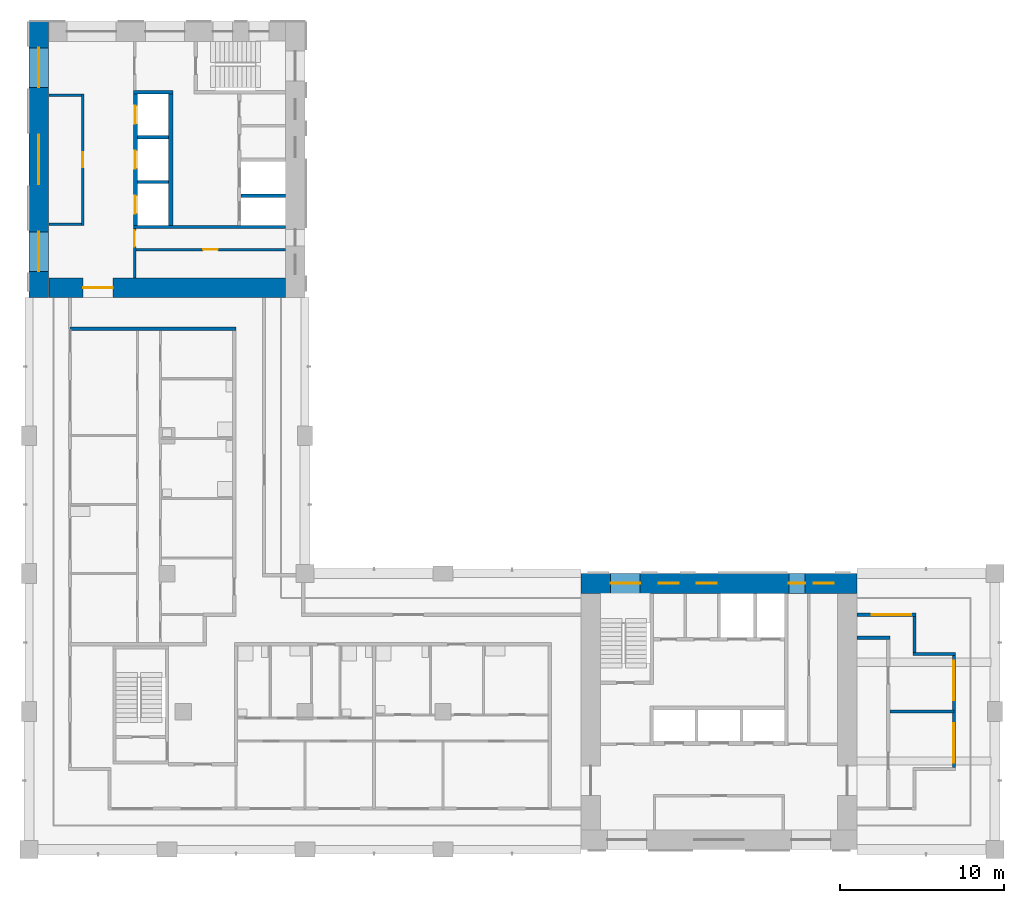
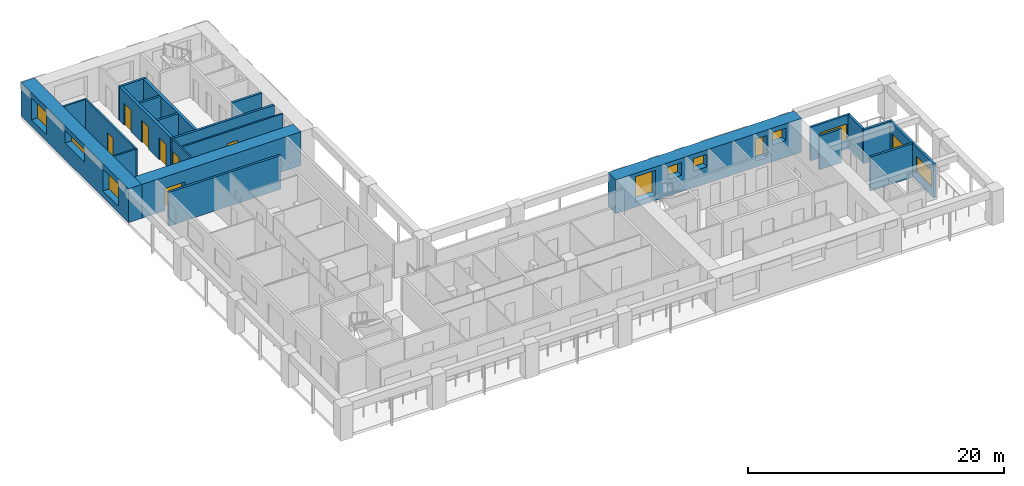
# One storey, part 5 of 10: 22 walls, 10 windows, 8 doors, 18 openings.
"""IFC4 building model written with IfcOpenShell, lengths in metres."""

from ifc_helpers import new_model, si_unit, direction, frame, frame_2d, origin, place, context, subcontext, project, spatial, rectangle, extrude, material, layer, layer_set, type_object, element, fill, save


model = new_model("IFC4")

# Units and contexts
model_context = context("Model", 3, precision=1e-05, world=origin(), true_north=direction((0.0, 1.0)))
body_context = subcontext(model_context, "Body", "Model", "MODEL_VIEW")
ifc_project = project(units=[si_unit("LENGTHUNIT", "METRE"), si_unit("AREAUNIT", "SQUARE_METRE"), si_unit("VOLUMEUNIT", "CUBIC_METRE"), si_unit("PLANEANGLEUNIT", "RADIAN"), si_unit("MASSUNIT", "GRAM", prefix="KILO")], contexts=[model_context])

# Site, building, storey
site_placement = place(None, origin())
site = spatial("IfcSite", under=ifc_project, at=site_placement, CompositionType="ELEMENT")
building_placement = place(site_placement, origin())
building = spatial("IfcBuilding", under=site, at=building_placement, Name="Vermilion Gate Residences", CompositionType="ELEMENT")
storey_placement = place(building_placement, frame((0.0, 0.0, 175.699951171875)))
storey = spatial("IfcBuildingStorey", under=building, at=storey_placement, Name="L45", CompositionType="ELEMENT", Elevation=175.699951171875)

# Walls
ifc_material_1 = material(Name="Masonry blockwork", Category="masonry")
ifc_layer_1 = layer(ifc_material_1, 0.14990234375)
ifc_layer_set_1 = layer_set([ifc_layer_1], Name="BLOCKWORK PARTITION 150 EI 120")
wall_type_1 = type_object("IfcWallType", Name="BLOCKWORK PARTITION 150 EI 120", PredefinedType="PARTITIONING", material=ifc_layer_set_1)
for number, where, z_axis, x_axis, name in (
    (1, (9.60009765625, 54.324951171875, 0.0), (0.0, 0.0, 1.0), (1.0, 0.0, 0.0), "Core room partition B45-RW-W"),
    (2, (9.60009765625, 46.47509765625, 0.0), (0.0, 0.0, 1.0), (1.0, 0.0, 0.0), "Core room partition B45-RW-E"),
):
    element("IfcWall", number, at=place(storey_placement, frame(where, z_axis=z_axis, x_axis=x_axis)), inside=storey, type_object=wall_type_1, Name=name, PredefinedType="PARTITIONING", context=body_context, shape_type="SweptSolid", body=[
        extrude(rectangle(XDim=2.0, YDim=0.14990234375, at=frame_2d((1.0, 0.0))), origin(), (0.0, 0.0, 1.0), 3.219970703125),
    ])

# Wall, opening, door
wall_1_placement = place(storey_placement, frame((11.675048828125, 54.39990234375, 0.0), z_axis=(0.0, 0.0, 1.0), x_axis=(0.0, -1.0, 0.0)))
wall_1 = element("IfcWall", 3, at=wall_1_placement, inside=storey, type_object=wall_type_1, Name="Core room partition B45-LR-F", PredefinedType="PARTITIONING", context=body_context, shape_type="SweptSolid", body=[
    extrude(rectangle(XDim=8.0, YDim=0.14990234375, at=frame_2d((4.0, 0.0))), origin(), (0.0, 0.0, 1.0), 3.219970703125),
])
opening_1_placement = place(wall_1_placement, frame((3.550048828125, 0.0, 0.0)))
opening_1 = element("IfcOpeningElement", 4, at=opening_1_placement, cuts=wall_1, Name="Opening DK45102", PredefinedType="OPENING", context=body_context, shape_type="SweptSolid", body=[
    extrude(rectangle(XDim=0.89990234375, YDim=2.10009765625, at=frame_2d((0.449951171875, 1.050048828125))), frame((0.0, 0.0849609375, 0.0), z_axis=(0.0, -1.0, 0.0), x_axis=(1.0, 0.0, 0.0)), (0.0, 0.0, 1.0), 0.169921875),
])
ifc_material_2 = material(Name="Steel", Category="steel")
door_type_1 = type_object("IfcDoorType", Name="SERVICE ROOM DOOR FD60 900 X 2100", OperationType="SINGLE_SWING_LEFT", PredefinedType="DOOR", material=ifc_material_2)
door_1_placement = place(opening_1_placement, frame((0.89990234375, 0.0, 0.0), z_axis=(0.0, 0.0, 1.0), x_axis=(-1.0, 0.0, 0.0)))
door_1 = element("IfcDoor", 5, at=door_1_placement, inside=storey, type_object=door_type_1, Name="Housekeeping store B45", OperationType="SINGLE_SWING_RIGHT", OverallHeight=2.10009765625, OverallWidth=0.89990234375, PredefinedType="DOOR", context=body_context, shape_type="SweptSolid", body=[
    extrude(rectangle(XDim=0.89990234375, YDim=2.10009765625, at=frame_2d((0.449951171875, 1.050048828125))), frame((0.0, 0.02490234375, 0.0), z_axis=(0.0, -1.0, 0.0), x_axis=(1.0, 0.0, 0.0)), (0.0, 0.0, 1.0), 0.050048828125),
])
fill(opening_1, door_1)

wall_2_placement = place(storey_placement, frame((14.824951171875, 46.199951171875, 0.0), z_axis=(0.0, 0.0, 1.0), x_axis=(0.0, -1.0, 0.0)))
wall_2 = element("IfcWall", 6, at=wall_2_placement, inside=storey, type_object=wall_type_1, Name="Core room partition B45-ES-S", PredefinedType="PARTITIONING", context=body_context, shape_type="SweptSolid", body=[
    extrude(rectangle(XDim=3.0, YDim=0.14990234375, at=frame_2d((1.5, 0.0))), origin(), (0.0, 0.0, 1.0), 3.219970703125),
])
opening_2_placement = place(wall_2_placement, frame((0.10009765625, 0.0, 0.0)))
opening_2 = element("IfcOpeningElement", 7, at=opening_2_placement, cuts=wall_2, Name="Opening DK45112", PredefinedType="OPENING", context=body_context, shape_type="SweptSolid", body=[
    extrude(rectangle(XDim=1.0, YDim=2.10009765625, at=frame_2d((0.5, 1.050048828125))), frame((0.0, 0.0849609375, 0.0), z_axis=(0.0, -1.0, 0.0), x_axis=(1.0, 0.0, 0.0)), (0.0, 0.0, 1.0), 0.169921875),
])
ifc_material_3 = material(Name="Steel", Category="steel")
door_type_2 = type_object("IfcDoorType", Name="FIRE DOOR FD60 1000 X 2100", OperationType="SINGLE_SWING_LEFT", PredefinedType="DOOR", material=ifc_material_3)
door_2_placement = place(opening_2_placement, frame((1.0, 0.0, 0.0), z_axis=(0.0, 0.0, 1.0), x_axis=(-1.0, 0.0, 0.0)))
door_2 = element("IfcDoor", 8, at=door_2_placement, inside=storey, type_object=door_type_2, Name="Service corridor door B45", OperationType="SINGLE_SWING_LEFT", OverallHeight=2.10009765625, OverallWidth=1.0, PredefinedType="DOOR", context=body_context, shape_type="SweptSolid", body=[
    extrude(rectangle(XDim=1.0, YDim=2.10009765625, at=frame_2d((0.5, 1.050048828125))), frame((0.0, 0.02490234375, 0.0), z_axis=(0.0, -1.0, 0.0), x_axis=(1.0, 0.0, 0.0)), (0.0, 0.0, 1.0), 0.050048828125),
])
fill(opening_2, door_2)

wall_3_placement = place(storey_placement, frame((14.89990234375, 44.925048828125, 0.0), z_axis=(0.0, 0.0, 1.0), x_axis=(1.0, 0.0, 0.0)))
wall_3 = element("IfcWall", 9, at=wall_3_placement, inside=storey, type_object=wall_type_1, Name="Core room partition B45-ES-W", PredefinedType="PARTITIONING", context=body_context, shape_type="SweptSolid", body=[
    extrude(rectangle(XDim=9.10009765625, YDim=0.14990234375, at=frame_2d((4.550048828125, 0.0))), origin(), (0.0, 0.0, 1.0), 3.219970703125),
])
opening_3_placement = place(wall_3_placement, frame((4.10009765625, 0.0, 0.0)))
opening_3 = element("IfcOpeningElement", 10, at=opening_3_placement, cuts=wall_3, Name="Opening DK45113", PredefinedType="OPENING", context=body_context, shape_type="SweptSolid", body=[
    extrude(rectangle(XDim=0.89990234375, YDim=2.10009765625, at=frame_2d((0.449951171875, 1.050048828125))), frame((0.0, 0.0849609375, 0.0), z_axis=(0.0, -1.0, 0.0), x_axis=(1.0, 0.0, 0.0)), (0.0, 0.0, 1.0), 0.169921875),
])
door_3_placement = place(opening_3_placement, frame((0.89990234375, 0.0, 0.0), z_axis=(0.0, 0.0, 1.0), x_axis=(-1.0, 0.0, 0.0)))
door_3 = element("IfcDoor", 11, at=door_3_placement, inside=storey, type_object=door_type_1, Name="Electrical room B45", OperationType="SINGLE_SWING_RIGHT", OverallHeight=2.10009765625, OverallWidth=0.89990234375, PredefinedType="DOOR", context=body_context, shape_type="SweptSolid", body=[
    extrude(rectangle(XDim=0.89990234375, YDim=2.10009765625, at=frame_2d((0.449951171875, 1.050048828125))), frame((0.0, 0.02490234375, 0.0), z_axis=(0.0, -1.0, 0.0), x_axis=(1.0, 0.0, 0.0)), (0.0, 0.0, 1.0), 0.050048828125),
])
fill(opening_3, door_3)

# Wall, openings, door, window
ifc_material_4 = material(Name="Insulated steel stud wall with terracotta rainscreen", Category="masonry")
ifc_layer_2 = layer(ifc_material_4, 0.199951171875)
ifc_layer_set_2 = layer_set([ifc_layer_2], Name="EXTERNAL WALL 200 TERRACOTTA RAINSCREEN")
wall_type_2 = type_object("IfcWallType", Name="EXTERNAL WALL 200 TERRACOTTA RAINSCREEN", PredefinedType="SOLIDWALL", material=ifc_layer_set_2)
wall_4_placement = place(storey_placement, frame((64.699951171875, 13.39990234375, 0.0), z_axis=(0.0, 0.0, 1.0), x_axis=(0.0, 1.0, 0.0)))
wall_4 = element("IfcWall", 12, at=wall_4_placement, inside=storey, type_object=wall_type_2, Name="External wall", PredefinedType="SOLIDWALL", context=body_context, shape_type="SweptSolid", body=[
    extrude(rectangle(XDim=6.800048828125, YDim=0.199951171875, at=frame_2d((3.39990234375, 0.0))), origin(), (0.0, 0.0, 1.0), 3.219970703125),
])
opening_4_placement = place(wall_4_placement, frame((0.300048828125, 0.0, 0.89990234375)))
opening_4 = element("IfcOpeningElement", 13, at=opening_4_placement, cuts=wall_4, Name="Opening WE45016", PredefinedType="OPENING", context=body_context, shape_type="SweptSolid", body=[
    extrude(rectangle(XDim=2.39990234375, YDim=1.5, at=frame_2d((1.199951171875, 0.75))), frame((0.0, 0.10986328125, 0.0), z_axis=(0.0, -1.0, 0.0), x_axis=(1.0, 0.0, 0.0)), (0.0, 0.0, 1.0), 0.219970703125),
])
opening_5_placement = place(wall_4_placement, frame((4.10009765625, 0.0, 0.0)))
opening_5 = element("IfcOpeningElement", 14, at=opening_5_placement, cuts=wall_4, Name="Opening DE45019", PredefinedType="OPENING", context=body_context, shape_type="SweptSolid", body=[
    extrude(rectangle(XDim=2.39990234375, YDim=2.199951171875, at=frame_2d((1.199951171875, 1.10009765625))), frame((0.0, 0.10986328125, 0.0), z_axis=(0.0, -1.0, 0.0), x_axis=(1.0, 0.0, 0.0)), (0.0, 0.0, 1.0), 0.219970703125),
])
ifc_material_5 = material(Name="Aluminium and clear glass", Category="aluminium")
door_type_3 = type_object("IfcDoorType", Name="SLIDING GLAZED DOOR 2400 X 2200", OperationType="DOUBLE_DOOR_SLIDING", PredefinedType="DOOR", material=ifc_material_5)
door_4_placement = place(opening_5_placement, origin())
door_4 = element("IfcDoor", 15, at=door_4_placement, inside=storey, type_object=door_type_3, Name="Loggia sliding door", OperationType="DOUBLE_DOOR_SLIDING", OverallHeight=2.199951171875, OverallWidth=2.39990234375, PredefinedType="DOOR", context=body_context, shape_type="SweptSolid", body=[
    extrude(rectangle(XDim=2.39990234375, YDim=2.199951171875, at=frame_2d((1.199951171875, 1.10009765625))), frame((0.0, 0.02490234375, 0.0), z_axis=(0.0, -1.0, 0.0), x_axis=(1.0, 0.0, 0.0)), (0.0, 0.0, 1.0), 0.050048828125),
])
fill(opening_5, door_4)
ifc_material_6 = material(Name="Aluminium and clear glass", Category="aluminium")
window_type_1 = type_object("IfcWindowType", Name="WINDOW 2400 X 1500", PartitioningType="SINGLE_PANEL", PredefinedType="WINDOW", material=ifc_material_6)
window_1_placement = place(opening_4_placement, origin())
window_1 = element("IfcWindow", 16, at=window_1_placement, inside=storey, type_object=window_type_1, Name="Window", OverallHeight=1.5, OverallWidth=2.39990234375, PartitioningType="SINGLE_PANEL", PredefinedType="WINDOW", context=body_context, shape_type="SweptSolid", body=[
    extrude(rectangle(XDim=2.39990234375, YDim=1.5, at=frame_2d((1.199951171875, 0.75))), frame((0.0, 0.030029296875, 0.0), z_axis=(0.0, -1.0, 0.0), x_axis=(1.0, 0.0, 0.0)), (0.0, 0.0, 1.0), 0.06005859375),
])
fill(opening_4, window_1)

# Walls
wall_5_placement = place(storey_placement, frame((64.800048828125, 20.300048828125, 0.0), z_axis=(0.0, 0.0, 1.0), x_axis=(-1.0, 0.0, 0.0)))
element("IfcWall", 17, at=wall_5_placement, inside=storey, type_object=wall_type_2, Name="External wall", PredefinedType="SOLIDWALL", context=body_context, shape_type="SweptSolid", body=[
    extrude(rectangle(XDim=2.60009765625, YDim=0.199951171875, at=frame_2d((1.300048828125, 0.0))), origin(), (0.0, 0.0, 1.0), 3.219970703125),
])
wall_6_placement = place(storey_placement, frame((62.300048828125, 20.39990234375, 0.0), z_axis=(0.0, 0.0, 1.0), x_axis=(0.0, 1.0, 0.0)))
element("IfcWall", 18, at=wall_6_placement, inside=storey, type_object=wall_type_2, Name="External wall", PredefinedType="SOLIDWALL", context=body_context, shape_type="SweptSolid", body=[
    extrude(rectangle(XDim=2.2001953125, YDim=0.199951171875, at=frame_2d((1.10009765625, 0.0))), origin(), (0.0, 0.0, 1.0), 3.219970703125),
])

# Wall, opening, window
wall_7_placement = place(storey_placement, frame((62.39990234375, 22.699951171875, 0.0), z_axis=(0.0, 0.0, 1.0), x_axis=(-1.0, 0.0, 0.0)))
wall_7 = element("IfcWall", 19, at=wall_7_placement, inside=storey, type_object=wall_type_2, Name="External wall", PredefinedType="SOLIDWALL", context=body_context, shape_type="SweptSolid", body=[
    extrude(rectangle(XDim=3.599853515625, YDim=0.199951171875, at=frame_2d((1.7998046875, 0.0))), origin(), (0.0, 0.0, 1.0), 3.219970703125),
])
opening_6_placement = place(wall_7_placement, frame((0.300048828125, 0.0, 0.89990234375)))
opening_6 = element("IfcOpeningElement", 20, at=opening_6_placement, cuts=wall_7, Name="Opening WE45018", PredefinedType="OPENING", context=body_context, shape_type="SweptSolid", body=[
    extrude(rectangle(XDim=2.39990234375, YDim=1.5, at=frame_2d((1.199951171875, 0.75))), frame((0.0, 0.10986328125, 0.0), z_axis=(0.0, -1.0, 0.0), x_axis=(1.0, 0.0, 0.0)), (0.0, 0.0, 1.0), 0.219970703125),
])
window_2_placement = place(opening_6_placement, origin())
window_2 = element("IfcWindow", 21, at=window_2_placement, inside=storey, type_object=window_type_1, Name="Window", OverallHeight=1.5, OverallWidth=2.39990234375, PartitioningType="SINGLE_PANEL", PredefinedType="WINDOW", context=body_context, shape_type="SweptSolid", body=[
    extrude(rectangle(XDim=2.39990234375, YDim=1.5, at=frame_2d((1.199951171875, 0.75))), frame((0.0, 0.030029296875, 0.0), z_axis=(0.0, -1.0, 0.0), x_axis=(1.0, 0.0, 0.0)), (0.0, 0.0, 1.0), 0.06005859375),
])
fill(opening_6, window_2)

# Walls
ifc_material_7 = material(Name="Fire-rated plasterboard on steel studs", Category="steel")
ifc_layer_3 = layer(ifc_material_7, 0.199951171875)
ifc_layer_set_3 = layer_set([ifc_layer_3], Name="PARTY WALL 200 EI 120")
wall_type_3 = type_object("IfcWallType", Name="PARTY WALL 200 EI 120", PredefinedType="PARTITIONING", material=ifc_layer_set_3)
wall_8_placement = place(storey_placement, frame((60.800048828125, 16.800048828125, 0.0), z_axis=(0.0, 0.0, 1.0), x_axis=(1.0, 0.0, 0.0)))
element("IfcWall", 22, at=wall_8_placement, inside=storey, type_object=wall_type_3, Name="Party and corridor wall", PredefinedType="PARTITIONING", context=body_context, shape_type="SweptSolid", body=[
    extrude(rectangle(XDim=3.89990234375, YDim=0.199951171875, at=frame_2d((1.949951171875, 0.0))), origin(), (0.0, 0.0, 1.0), 3.219970703125),
])
wall_9_placement = place(storey_placement, frame((58.800048828125, 21.300048828125, 0.0), z_axis=(0.0, 0.0, 1.0), x_axis=(1.0, 0.0, 0.0)))
element("IfcWall", 23, at=wall_9_placement, inside=storey, type_object=wall_type_3, Name="Party and corridor wall", PredefinedType="PARTITIONING", context=body_context, shape_type="SweptSolid", body=[
    extrude(rectangle(XDim=2.0, YDim=0.199951171875, at=frame_2d((1.0, 0.0))), origin(), (0.0, 0.0, 1.0), 3.219970703125),
])
wall_10_placement = place(storey_placement, frame((10.89990234375, 40.10009765625, 0.0), z_axis=(0.0, 0.0, 1.0), x_axis=(1.0, 0.0, 0.0)))
element("IfcWall", 24, at=wall_10_placement, inside=storey, type_object=wall_type_3, Name="Party and corridor wall", PredefinedType="PARTITIONING", context=body_context, shape_type="SweptSolid", body=[
    extrude(rectangle(XDim=10.10009765625, YDim=0.199951171875, at=frame_2d((5.050048828125, 0.0))), origin(), (0.0, 0.0, 1.0), 3.219970703125),
])
ifc_material_8 = material(Name="Concrete C60", Category="concrete")
ifc_layer_4 = layer(ifc_material_8, 0.199951171875)
ifc_layer_set_4 = layer_set([ifc_layer_4], Name="RC CORE INTERNAL WALL 200 C60")
wall_type_4 = type_object("IfcWallType", Name="RC CORE INTERNAL WALL 200 C60", PredefinedType="SHEAR", material=ifc_layer_set_4)
for number, where, z_axis, x_axis, name in (
    (25, (15.0, 51.7666015625, 0.0), (0.0, 0.0, 1.0), (1.0, 0.0, 0.0), "Core internal wall B45-HR-D1"),
    (26, (15.0, 49.033447265625, 0.0), (0.0, 0.0, 1.0), (1.0, 0.0, 0.0), "Core internal wall B45-HR-D2"),
):
    element("IfcWall", number, at=place(storey_placement, frame(where, z_axis=z_axis, x_axis=x_axis)), inside=storey, type_object=wall_type_4, Name=name, PredefinedType="SHEAR", context=body_context, shape_type="SweptSolid", body=[
        extrude(rectangle(XDim=1.89990234375, YDim=0.199951171875, at=frame_2d((0.949951171875, 0.0))), origin(), (0.0, 0.0, 1.0), 3.219970703125),
    ])
wall_11_placement = place(storey_placement, frame((21.300048828125, 48.199951171875, 0.0), z_axis=(0.0, 0.0, 1.0), x_axis=(1.0, 0.0, 0.0)))
element("IfcWall", 27, at=wall_11_placement, inside=storey, type_object=wall_type_4, Name="Core internal wall B45-FF-D1", PredefinedType="SHEAR", context=body_context, shape_type="SweptSolid", body=[
    extrude(rectangle(XDim=2.699951171875, YDim=0.199951171875, at=frame_2d((1.35009765625, 0.0))), origin(), (0.0, 0.0, 1.0), 3.219970703125),
])
wall_12_placement = place(storey_placement, frame((14.75, 54.5, 0.0), z_axis=(0.0, 0.0, 1.0), x_axis=(1.0, 0.0, 0.0)))
element("IfcWall", 28, at=wall_12_placement, inside=storey, type_object=wall_type_4, Name="Core internal wall B45-WDIV1", PredefinedType="SHEAR", context=body_context, shape_type="SweptSolid", body=[
    extrude(rectangle(XDim=2.39990234375, YDim=0.199951171875, at=frame_2d((1.199951171875, 0.0))), origin(), (0.0, 0.0, 1.0), 3.219970703125),
])
wall_13_placement = place(storey_placement, frame((14.75, 46.300048828125, 0.0), z_axis=(0.0, 0.0, 1.0), x_axis=(1.0, 0.0, 0.0)))
element("IfcWall", 29, at=wall_13_placement, inside=storey, type_object=wall_type_4, Name="Core internal wall B45-EDIV", PredefinedType="SHEAR", context=body_context, shape_type="SweptSolid", body=[
    extrude(rectangle(XDim=9.25, YDim=0.199951171875, at=frame_2d((4.625, 0.0))), origin(), (0.0, 0.0, 1.0), 3.219970703125),
])

# Wall, opening, door
ifc_material_9 = material(Name="Concrete C60", Category="concrete")
ifc_layer_5 = layer(ifc_material_9, 1.199951171875)
ifc_layer_set_5 = layer_set([ifc_layer_5], Name="RC CORE WALL 1200 C60")
wall_type_5 = type_object("IfcWallType", Name="RC CORE WALL 1200 C60", PredefinedType="SHEAR", material=ifc_layer_set_5)
wall_14_placement = place(storey_placement, frame((9.60009765625, 42.60009765625, 0.0), z_axis=(0.0, 0.0, 1.0), x_axis=(1.0, 0.0, 0.0)))
wall_14 = element("IfcWall", 30, at=wall_14_placement, inside=storey, type_object=wall_type_5, Name="Core wall B45-OUT-BK", PredefinedType="SHEAR", context=body_context, shape_type="SweptSolid", body=[
    extrude(rectangle(XDim=14.39990234375, YDim=1.199951171875, at=frame_2d((7.199951171875, 0.0))), origin(), (0.0, 0.0, 1.0), 3.219970703125),
])
opening_7_placement = place(wall_14_placement, frame((2.10009765625, 0.0, 0.0)))
opening_7 = element("IfcOpeningElement", 31, at=opening_7_placement, cuts=wall_14, Name="Opening DK45101", PredefinedType="OPENING", context=body_context, shape_type="SweptSolid", body=[
    extrude(rectangle(XDim=1.800048828125, YDim=2.10009765625, at=frame_2d((0.89990234375, 1.050048828125))), frame((0.0, 0.60986328125, 0.0), z_axis=(0.0, -1.0, 0.0), x_axis=(1.0, 0.0, 0.0)), (0.0, 0.0, 1.0), 1.219970703125),
])
ifc_material_10 = material(Name="Steel", Category="steel")
door_type_4 = type_object("IfcDoorType", Name="CORE LOBBY DOOR FD60 1800 X 2100", OperationType="DOUBLE_DOOR_SINGLE_SWING", PredefinedType="DOOR", material=ifc_material_10)
door_5_placement = place(opening_7_placement, frame((1.800048828125, 0.0, 0.0), z_axis=(0.0, 0.0, 1.0), x_axis=(-1.0, 0.0, 0.0)))
door_5 = element("IfcDoor", 32, at=door_5_placement, inside=storey, type_object=door_type_4, Name="Core lobby door B45", OperationType="DOUBLE_DOOR_SINGLE_SWING", OverallHeight=2.10009765625, OverallWidth=1.800048828125, PredefinedType="DOOR", context=body_context, shape_type="SweptSolid", body=[
    extrude(rectangle(XDim=1.800048828125, YDim=2.10009765625, at=frame_2d((0.89990234375, 1.050048828125))), frame((0.0, 0.02490234375, 0.0), z_axis=(0.0, -1.0, 0.0), x_axis=(1.0, 0.0, 0.0)), (0.0, 0.0, 1.0), 0.050048828125),
])
fill(opening_7, door_5)

# Wall, openings, windows
ifc_material_11 = material(Name="Concrete C60 red-oxide pigmented", Category="concrete")
ifc_layer_6 = layer(ifc_material_11, 1.199951171875)
ifc_layer_set_6 = layer_set([ifc_layer_6], Name="RC CORE WALL 1200 C60 RED OXIDE")
wall_type_6 = type_object("IfcWallType", Name="RC CORE WALL 1200 C60 RED OXIDE", PredefinedType="SHEAR", material=ifc_layer_set_6)
wall_15_placement = place(storey_placement, frame((42.0, 24.60009765625, 0.0), z_axis=(0.0, 0.0, 1.0), x_axis=(1.0, 0.0, 0.0)))
wall_15 = element("IfcWall", 33, at=wall_15_placement, inside=storey, type_object=wall_type_6, Name="Core wall A45-OUT-B1", PredefinedType="SHEAR", context=body_context, shape_type="SweptSolid", body=[
    extrude(rectangle(XDim=16.800048828125, YDim=1.199951171875, at=frame_2d((8.39990234375, 0.0))), origin(), (0.0, 0.0, 1.0), 3.219970703125),
])
opening_8_placement = place(wall_15_placement, frame((1.800048828125, 0.0, 0.5)))
opening_8 = element("IfcOpeningElement", 34, at=opening_8_placement, cuts=wall_15, Name="Opening WKA4504", PredefinedType="OPENING", context=body_context, shape_type="SweptSolid", body=[
    extrude(rectangle(XDim=1.800048828125, YDim=2.39990234375, at=frame_2d((0.89990234375, 1.199951171875))), frame((0.0, 0.60986328125, 0.0), z_axis=(0.0, -1.0, 0.0), x_axis=(1.0, 0.0, 0.0)), (0.0, 0.0, 1.0), 1.219970703125),
])
opening_9_placement = place(wall_15_placement, frame((4.737548828125, 0.0, 1.60009765625)))
opening_9 = element("IfcOpeningElement", 35, at=opening_9_placement, cuts=wall_15, Name="Opening WKA4505", PredefinedType="OPENING", context=body_context, shape_type="SweptSolid", body=[
    extrude(rectangle(XDim=1.199951171875, YDim=1.199951171875, at=frame_2d((0.60009765625, 0.60009765625))), frame((0.0, 0.60986328125, 0.0), z_axis=(0.0, -1.0, 0.0), x_axis=(1.0, 0.0, 0.0)), (0.0, 0.0, 1.0), 1.219970703125),
])
opening_10_placement = place(wall_15_placement, frame((7.050048828125, 0.0, 1.60009765625)))
opening_10 = element("IfcOpeningElement", 36, at=opening_10_placement, cuts=wall_15, Name="Opening WKA4506", PredefinedType="OPENING", context=body_context, shape_type="SweptSolid", body=[
    extrude(rectangle(XDim=1.199951171875, YDim=1.199951171875, at=frame_2d((0.60009765625, 0.60009765625))), frame((0.0, 0.60986328125, 0.0), z_axis=(0.0, -1.0, 0.0), x_axis=(1.0, 0.0, 0.0)), (0.0, 0.0, 1.0), 1.219970703125),
])
opening_11_placement = place(wall_15_placement, frame((12.64990234375, 0.0, 0.60009765625)))
opening_11 = element("IfcOpeningElement", 37, at=opening_11_placement, cuts=wall_15, Name="Opening WKA4507", PredefinedType="OPENING", context=body_context, shape_type="SweptSolid", body=[
    extrude(rectangle(XDim=1.0, YDim=2.10009765625, at=frame_2d((0.5, 1.050048828125))), frame((0.0, 0.60986328125, 0.0), z_axis=(0.0, -1.0, 0.0), x_axis=(1.0, 0.0, 0.0)), (0.0, 0.0, 1.0), 1.219970703125),
])
opening_12_placement = place(wall_15_placement, frame((14.175048828125, 0.0, 1.60009765625)))
opening_12 = element("IfcOpeningElement", 38, at=opening_12_placement, cuts=wall_15, Name="Opening WKA4508", PredefinedType="OPENING", context=body_context, shape_type="SweptSolid", body=[
    extrude(rectangle(XDim=1.199951171875, YDim=1.199951171875, at=frame_2d((0.60009765625, 0.60009765625))), frame((0.0, 0.60986328125, 0.0), z_axis=(0.0, -1.0, 0.0), x_axis=(1.0, 0.0, 0.0)), (0.0, 0.0, 1.0), 1.219970703125),
])
ifc_material_12 = material(Name="Aluminium and clear glass", Category="aluminium")
window_type_2 = type_object("IfcWindowType", Name="CORE CORRIDOR WINDOW 1000 X 2100", PartitioningType="SINGLE_PANEL", PredefinedType="WINDOW", material=ifc_material_12)
window_3_placement = place(opening_11_placement, origin())
window_3 = element("IfcWindow", 39, at=window_3_placement, inside=storey, type_object=window_type_2, Name="Core corridor window", OverallHeight=2.10009765625, OverallWidth=1.0, PartitioningType="SINGLE_PANEL", PredefinedType="WINDOW", context=body_context, shape_type="SweptSolid", body=[
    extrude(rectangle(XDim=1.0, YDim=2.10009765625, at=frame_2d((0.5, 1.050048828125))), frame((0.0, 0.030029296875, 0.0), z_axis=(0.0, -1.0, 0.0), x_axis=(1.0, 0.0, 0.0)), (0.0, 0.0, 1.0), 0.06005859375),
])
fill(opening_11, window_3)
ifc_material_13 = material(Name="Aluminium frame with louvre blades", Category="aluminium")
window_type_3 = type_object("IfcWindowType", Name="CORE LOUVRE 1200 X 1200", PartitioningType="SINGLE_PANEL", PredefinedType="WINDOW", material=ifc_material_13)
window_4_placement = place(opening_9_placement, origin())
window_4 = element("IfcWindow", 40, at=window_4_placement, inside=storey, type_object=window_type_3, Name="Core louvre", OverallHeight=1.199951171875, OverallWidth=1.199951171875, PartitioningType="SINGLE_PANEL", PredefinedType="WINDOW", context=body_context, shape_type="SweptSolid", body=[
    extrude(rectangle(XDim=1.199951171875, YDim=1.199951171875, at=frame_2d((0.60009765625, 0.60009765625))), frame((0.0, 0.030029296875, 0.0), z_axis=(0.0, -1.0, 0.0), x_axis=(1.0, 0.0, 0.0)), (0.0, 0.0, 1.0), 0.06005859375),
])
fill(opening_9, window_4)
window_5_placement = place(opening_10_placement, origin())
window_5 = element("IfcWindow", 41, at=window_5_placement, inside=storey, type_object=window_type_3, Name="Core louvre", OverallHeight=1.199951171875, OverallWidth=1.199951171875, PartitioningType="SINGLE_PANEL", PredefinedType="WINDOW", context=body_context, shape_type="SweptSolid", body=[
    extrude(rectangle(XDim=1.199951171875, YDim=1.199951171875, at=frame_2d((0.60009765625, 0.60009765625))), frame((0.0, 0.030029296875, 0.0), z_axis=(0.0, -1.0, 0.0), x_axis=(1.0, 0.0, 0.0)), (0.0, 0.0, 1.0), 0.06005859375),
])
fill(opening_10, window_5)
window_6_placement = place(opening_12_placement, origin())
window_6 = element("IfcWindow", 42, at=window_6_placement, inside=storey, type_object=window_type_3, Name="Core louvre", OverallHeight=1.199951171875, OverallWidth=1.199951171875, PartitioningType="SINGLE_PANEL", PredefinedType="WINDOW", context=body_context, shape_type="SweptSolid", body=[
    extrude(rectangle(XDim=1.199951171875, YDim=1.199951171875, at=frame_2d((0.60009765625, 0.60009765625))), frame((0.0, 0.030029296875, 0.0), z_axis=(0.0, -1.0, 0.0), x_axis=(1.0, 0.0, 0.0)), (0.0, 0.0, 1.0), 0.06005859375),
])
fill(opening_12, window_6)
ifc_material_14 = material(Name="Aluminium and clear glass", Category="aluminium")
window_type_4 = type_object("IfcWindowType", Name="CORE STAIR WINDOW 1800 X 2400", PartitioningType="SINGLE_PANEL", PredefinedType="WINDOW", material=ifc_material_14)
window_7_placement = place(opening_8_placement, origin())
window_7 = element("IfcWindow", 43, at=window_7_placement, inside=storey, type_object=window_type_4, Name="Core stair window", OverallHeight=2.39990234375, OverallWidth=1.800048828125, PartitioningType="SINGLE_PANEL", PredefinedType="WINDOW", context=body_context, shape_type="SweptSolid", body=[
    extrude(rectangle(XDim=1.800048828125, YDim=2.39990234375, at=frame_2d((0.89990234375, 1.199951171875))), frame((0.0, 0.030029296875, 0.0), z_axis=(0.0, -1.0, 0.0), x_axis=(1.0, 0.0, 0.0)), (0.0, 0.0, 1.0), 0.06005859375),
])
fill(opening_8, window_7)

wall_16_placement = place(storey_placement, frame((9.0, 58.800048828125, 0.0), z_axis=(0.0, 0.0, 1.0), x_axis=(0.0, -1.0, 0.0)))
wall_16 = element("IfcWall", 44, at=wall_16_placement, inside=storey, type_object=wall_type_6, Name="Core wall B45-OUT-B0", PredefinedType="SHEAR", context=body_context, shape_type="SweptSolid", body=[
    extrude(rectangle(XDim=16.800048828125, YDim=1.199951171875, at=frame_2d((8.39990234375, 0.0))), origin(), (0.0, 0.0, 1.0), 3.219970703125),
])
opening_13_placement = place(wall_16_placement, frame((1.60009765625, 0.0, 0.60009765625)))
opening_13 = element("IfcOpeningElement", 45, at=opening_13_placement, cuts=wall_16, Name="Opening WKB4501", PredefinedType="OPENING", context=body_context, shape_type="SweptSolid", body=[
    extrude(rectangle(XDim=2.39990234375, YDim=2.10009765625, at=frame_2d((1.199951171875, 1.050048828125))), frame((0.0, 0.60986328125, 0.0), z_axis=(0.0, -1.0, 0.0), x_axis=(1.0, 0.0, 0.0)), (0.0, 0.0, 1.0), 1.219970703125),
])
opening_14_placement = place(wall_16_placement, frame((6.89990234375, 0.0, 1.60009765625)))
opening_14 = element("IfcOpeningElement", 46, at=opening_14_placement, cuts=wall_16, Name="Opening WKB4502", PredefinedType="OPENING", context=body_context, shape_type="SweptSolid", body=[
    extrude(rectangle(XDim=3.0, YDim=1.199951171875, at=frame_2d((1.5, 0.60009765625))), frame((0.0, 0.60986328125, 0.0), z_axis=(0.0, -1.0, 0.0), x_axis=(1.0, 0.0, 0.0)), (0.0, 0.0, 1.0), 1.219970703125),
])
opening_15_placement = place(wall_16_placement, frame((12.800048828125, 0.0, 0.60009765625)))
opening_15 = element("IfcOpeningElement", 47, at=opening_15_placement, cuts=wall_16, Name="Opening WKB4503", PredefinedType="OPENING", context=body_context, shape_type="SweptSolid", body=[
    extrude(rectangle(XDim=2.39990234375, YDim=2.10009765625, at=frame_2d((1.199951171875, 1.050048828125))), frame((0.0, 0.60986328125, 0.0), z_axis=(0.0, -1.0, 0.0), x_axis=(1.0, 0.0, 0.0)), (0.0, 0.0, 1.0), 1.219970703125),
])
ifc_material_15 = material(Name="Aluminium and clear glass", Category="aluminium")
window_type_5 = type_object("IfcWindowType", Name="CORE LOBBY WINDOW 2400 X 2100", PartitioningType="SINGLE_PANEL", PredefinedType="WINDOW", material=ifc_material_15)
window_8_placement = place(opening_13_placement, origin())
window_8 = element("IfcWindow", 48, at=window_8_placement, inside=storey, type_object=window_type_5, Name="Core lobby window", OverallHeight=2.10009765625, OverallWidth=2.39990234375, PartitioningType="SINGLE_PANEL", PredefinedType="WINDOW", context=body_context, shape_type="SweptSolid", body=[
    extrude(rectangle(XDim=2.39990234375, YDim=2.10009765625, at=frame_2d((1.199951171875, 1.050048828125))), frame((0.0, 0.030029296875, 0.0), z_axis=(0.0, -1.0, 0.0), x_axis=(1.0, 0.0, 0.0)), (0.0, 0.0, 1.0), 0.06005859375),
])
fill(opening_13, window_8)
window_9_placement = place(opening_15_placement, origin())
window_9 = element("IfcWindow", 49, at=window_9_placement, inside=storey, type_object=window_type_5, Name="Core lobby window", OverallHeight=2.10009765625, OverallWidth=2.39990234375, PartitioningType="SINGLE_PANEL", PredefinedType="WINDOW", context=body_context, shape_type="SweptSolid", body=[
    extrude(rectangle(XDim=2.39990234375, YDim=2.10009765625, at=frame_2d((1.199951171875, 1.050048828125))), frame((0.0, 0.030029296875, 0.0), z_axis=(0.0, -1.0, 0.0), x_axis=(1.0, 0.0, 0.0)), (0.0, 0.0, 1.0), 0.06005859375),
])
fill(opening_15, window_9)
ifc_material_16 = material(Name="Aluminium frame with louvre blades", Category="aluminium")
window_type_6 = type_object("IfcWindowType", Name="CORE LOUVRE 3000 X 1200", PartitioningType="SINGLE_PANEL", PredefinedType="WINDOW", material=ifc_material_16)
window_10_placement = place(opening_14_placement, origin())
window_10 = element("IfcWindow", 50, at=window_10_placement, inside=storey, type_object=window_type_6, Name="Core louvre", OverallHeight=1.199951171875, OverallWidth=3.0, PartitioningType="SINGLE_PANEL", PredefinedType="WINDOW", context=body_context, shape_type="SweptSolid", body=[
    extrude(rectangle(XDim=3.0, YDim=1.199951171875, at=frame_2d((1.5, 0.60009765625))), frame((0.0, 0.030029296875, 0.0), z_axis=(0.0, -1.0, 0.0), x_axis=(1.0, 0.0, 0.0)), (0.0, 0.0, 1.0), 0.06005859375),
])
fill(opening_14, window_10)

# Wall, openings, doors
ifc_material_17 = material(Name="Concrete C60", Category="concrete")
ifc_layer_7 = layer(ifc_material_17, 0.25)
ifc_layer_set_7 = layer_set([ifc_layer_7], Name="RC LIFT SHAFT WALL 250 C60")
wall_type_7 = type_object("IfcWallType", Name="RC LIFT SHAFT WALL 250 C60", PredefinedType="SHEAR", material=ifc_layer_set_7)
wall_17_placement = place(storey_placement, frame((14.875, 54.39990234375, 0.0), z_axis=(0.0, 0.0, 1.0), x_axis=(0.0, -1.0, 0.0)))
wall_17 = element("IfcWall", 51, at=wall_17_placement, inside=storey, type_object=wall_type_7, Name="Lift shaft wall B45-HR-F", PredefinedType="SHEAR", context=body_context, shape_type="SweptSolid", body=[
    extrude(rectangle(XDim=8.0, YDim=0.25, at=frame_2d((4.0, 0.0))), origin(), (0.0, 0.0, 1.0), 3.219970703125),
])
opening_16_placement = place(wall_17_placement, frame((0.716552734375, 0.0, 0.0)))
opening_16 = element("IfcOpeningElement", 52, at=opening_16_placement, cuts=wall_17, Name="Opening LD", PredefinedType="OPENING", context=body_context, shape_type="SweptSolid", body=[
    extrude(rectangle(XDim=1.10009765625, YDim=2.10009765625, at=frame_2d((0.550048828125, 1.050048828125))), frame((0.0, 0.135009765625, 0.0), z_axis=(0.0, -1.0, 0.0), x_axis=(1.0, 0.0, 0.0)), (0.0, 0.0, 1.0), 0.27001953125),
])
opening_17_placement = place(wall_17_placement, frame((3.449951171875, 0.0, 0.0)))
opening_17 = element("IfcOpeningElement", 53, at=opening_17_placement, cuts=wall_17, Name="Opening LD", PredefinedType="OPENING", context=body_context, shape_type="SweptSolid", body=[
    extrude(rectangle(XDim=1.10009765625, YDim=2.10009765625, at=frame_2d((0.550048828125, 1.050048828125))), frame((0.0, 0.135009765625, 0.0), z_axis=(0.0, -1.0, 0.0), x_axis=(1.0, 0.0, 0.0)), (0.0, 0.0, 1.0), 0.27001953125),
])
opening_18_placement = place(wall_17_placement, frame((6.183349609375, 0.0, 0.0)))
opening_18 = element("IfcOpeningElement", 54, at=opening_18_placement, cuts=wall_17, Name="Opening LD", PredefinedType="OPENING", context=body_context, shape_type="SweptSolid", body=[
    extrude(rectangle(XDim=1.10009765625, YDim=2.10009765625, at=frame_2d((0.550048828125, 1.050048828125))), frame((0.0, 0.135009765625, 0.0), z_axis=(0.0, -1.0, 0.0), x_axis=(1.0, 0.0, 0.0)), (0.0, 0.0, 1.0), 0.27001953125),
])
ifc_material_18 = material(Name="Stainless steel", Category="steel")
door_type_5 = type_object("IfcDoorType", Name="LIFT LANDING DOOR E60 1100 X 2100", OperationType="DOUBLE_DOOR_SLIDING", PredefinedType="DOOR", material=ifc_material_18)
door_6_placement = place(opening_16_placement, origin())
door_6 = element("IfcDoor", 55, at=door_6_placement, inside=storey, type_object=door_type_5, Name="Lift landing door HRB1", OperationType="DOUBLE_DOOR_SLIDING", OverallHeight=2.10009765625, OverallWidth=1.10009765625, PredefinedType="DOOR", context=body_context, shape_type="SweptSolid", body=[
    extrude(rectangle(XDim=1.10009765625, YDim=2.10009765625, at=frame_2d((0.550048828125, 1.050048828125))), frame((0.0, 0.02490234375, 0.0), z_axis=(0.0, -1.0, 0.0), x_axis=(1.0, 0.0, 0.0)), (0.0, 0.0, 1.0), 0.050048828125),
])
fill(opening_16, door_6)
door_7_placement = place(opening_17_placement, origin())
door_7 = element("IfcDoor", 56, at=door_7_placement, inside=storey, type_object=door_type_5, Name="Lift landing door HRB2", OperationType="DOUBLE_DOOR_SLIDING", OverallHeight=2.10009765625, OverallWidth=1.10009765625, PredefinedType="DOOR", context=body_context, shape_type="SweptSolid", body=[
    extrude(rectangle(XDim=1.10009765625, YDim=2.10009765625, at=frame_2d((0.550048828125, 1.050048828125))), frame((0.0, 0.02490234375, 0.0), z_axis=(0.0, -1.0, 0.0), x_axis=(1.0, 0.0, 0.0)), (0.0, 0.0, 1.0), 0.050048828125),
])
fill(opening_17, door_7)
door_8_placement = place(opening_18_placement, origin())
door_8 = element("IfcDoor", 57, at=door_8_placement, inside=storey, type_object=door_type_5, Name="Lift landing door HRB3", OperationType="DOUBLE_DOOR_SLIDING", OverallHeight=2.10009765625, OverallWidth=1.10009765625, PredefinedType="DOOR", context=body_context, shape_type="SweptSolid", body=[
    extrude(rectangle(XDim=1.10009765625, YDim=2.10009765625, at=frame_2d((0.550048828125, 1.050048828125))), frame((0.0, 0.02490234375, 0.0), z_axis=(0.0, -1.0, 0.0), x_axis=(1.0, 0.0, 0.0)), (0.0, 0.0, 1.0), 0.050048828125),
])
fill(opening_18, door_8)

# Wall
wall_18_placement = place(storey_placement, frame((17.02490234375, 54.39990234375, 0.0), z_axis=(0.0, 0.0, 1.0), x_axis=(0.0, -1.0, 0.0)))
element("IfcWall", 58, at=wall_18_placement, inside=storey, type_object=wall_type_7, Name="Lift shaft wall B45-HR-B", PredefinedType="SHEAR", context=body_context, shape_type="SweptSolid", body=[
    extrude(rectangle(XDim=8.0, YDim=0.25, at=frame_2d((4.0, 0.0))), origin(), (0.0, 0.0, 1.0), 3.219970703125),
])

save(model, "model.ifc")
